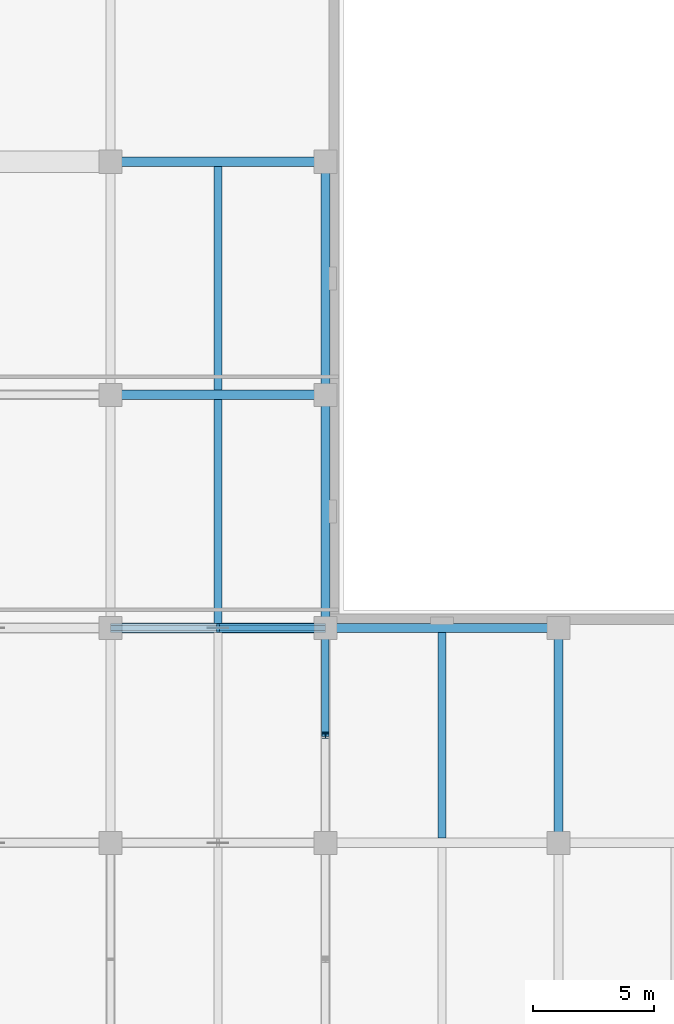
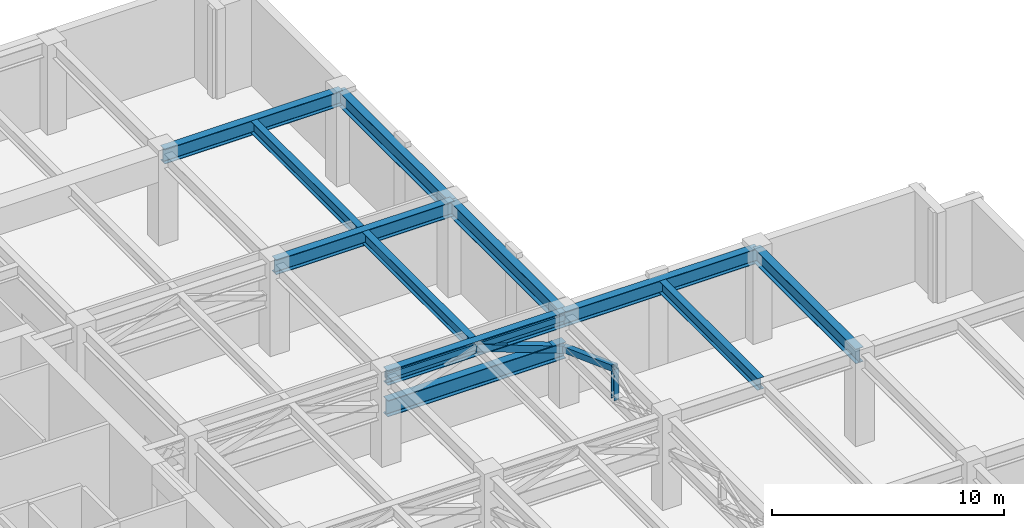
# One storey, part 7 of 21: 11 beams, 4 members.
"""IFC4 building model written with IfcOpenShell, lengths in metres."""

from ifc_helpers import new_model, si_unit, direction, frame, origin, origin_2d, place, context, subcontext, project, spatial, hollow_rectangle, i_section, extrude, material, material_profile, profile_set, type_object, element, save


model = new_model("IFC4")

# Units and contexts
model_context = context("Model", 3, precision=1e-05, world=origin(), true_north=direction((0.0, 1.0)))
body_context = subcontext(model_context, "Body", "Model", "MODEL_VIEW")
ifc_project = project(units=[si_unit("LENGTHUNIT", "METRE"), si_unit("AREAUNIT", "SQUARE_METRE"), si_unit("VOLUMEUNIT", "CUBIC_METRE"), si_unit("PLANEANGLEUNIT", "RADIAN"), si_unit("MASSUNIT", "GRAM", prefix="KILO")], contexts=[model_context])

# Site, building, storey
site_placement = place(None, origin())
site = spatial("IfcSite", under=ifc_project, at=site_placement, CompositionType="ELEMENT")
building_placement = place(site_placement, origin())
building = spatial("IfcBuilding", under=site, at=building_placement, Name="Norrvale University Quadrangle", CompositionType="ELEMENT")
storey_placement = place(building_placement, frame((0.0, 0.0, 194.0)))
storey = spatial("IfcBuildingStorey", under=building, at=storey_placement, Name="L49", CompositionType="ELEMENT", Elevation=194.0)

# Beams
ifc_material = material(Name="Steel 350W", Category="steel")
ifc_material_profile_1 = material_profile(ifc_material, i_section(OverallWidth=0.324951171875, OverallDepth=0.615966796875, WebThickness=0.013916015625, FlangeThickness=0.021484375, FilletRadius=0.01611328125, at=origin_2d()), Name="Steel 350W")
ifc_profile_set_1 = profile_set([ifc_material_profile_1], Name="Steel 350W")
beam_type_1 = type_object("IfcBeamType", Name="Beam Belt W610x174", PredefinedType="BEAM", material=ifc_profile_set_1)
for number, where, z_axis, x_axis, name in (
    (1, (33.22509765625, 37.840576171875, 4.431884765625), (0.0, 1.0, 0.0), (-1.0, 0.0, 0.0), "Beam Belt W610x174 BM-L49-J079"),
    (2, (33.22509765625, 47.4404296875, 4.431884765625), (0.0, 1.0, 0.0), (-1.0, 0.0, 0.0), "Beam Belt W610x174 BM-L49-J080"),
):
    element("IfcBeam", number, at=place(storey_placement, frame(where, z_axis=z_axis, x_axis=x_axis)), inside=storey, type_object=beam_type_1, Name=name, PredefinedType="BEAM", context=body_context, shape_type="SweptSolid", body=[
        extrude(i_section(OverallWidth=0.324951171875, OverallDepth=0.615966796875, WebThickness=0.013916015625, FlangeThickness=0.021484375, FilletRadius=0.01611328125, at=origin_2d()), origin(), (0.0, 0.0, 1.0), 9.218994140625),
    ])
beam_1_placement = place(storey_placement, frame((42.449951171875, 28.990478515625, 4.431884765625), z_axis=(0.0, 1.0, 0.0), x_axis=(-1.0, 0.0, 0.0)))
element("IfcBeam", 3, at=beam_1_placement, inside=storey, type_object=beam_type_1, Name="Beam Belt W610x174 BM-L49-J084", PredefinedType="BEAM", context=body_context, shape_type="SweptSolid", body=[
    extrude(i_section(OverallWidth=0.324951171875, OverallDepth=0.615966796875, WebThickness=0.013916015625, FlangeThickness=0.021484375, FilletRadius=0.01611328125, at=origin_2d()), origin(), (0.0, 0.0, 1.0), 8.468994140625),
])
ifc_material_profile_2 = material_profile(ifc_material, i_section(OverallWidth=0.381103515625, OverallDepth=0.77294921875, WebThickness=0.0166015625, FlangeThickness=0.027587890625, FilletRadius=0.02001953125, at=origin_2d()), Name="Steel 350W")
ifc_profile_set_2 = profile_set([ifc_material_profile_2], Name="Steel 350W")
beam_type_2 = type_object("IfcBeamType", Name="Beam Outrig W760x257", PredefinedType="BEAM", material=ifc_profile_set_2)
beam_2_placement = place(storey_placement, frame((28.800048828125, 37.64990234375, 4.353515625), z_axis=(1.0, 0.0, 0.0), x_axis=(0.0, 1.0, 0.0)))
element("IfcBeam", 4, at=beam_2_placement, inside=storey, type_object=beam_type_2, Name="Beam Outrig W760x257 BM-L49-GX018", PredefinedType="BEAM", context=body_context, shape_type="SweptSolid", body=[
    extrude(i_section(OverallWidth=0.381103515625, OverallDepth=0.77294921875, WebThickness=0.0166015625, FlangeThickness=0.027587890625, FilletRadius=0.02001953125, at=origin_2d()), origin(), (0.0, 0.0, 1.0), 8.849853515625),
])
beam_3_placement = place(storey_placement, frame((37.64990234375, 37.64990234375, 4.353515625), z_axis=(1.0, 0.0, 0.0), x_axis=(0.0, 1.0, 0.0)))
element("IfcBeam", 5, at=beam_3_placement, inside=storey, type_object=beam_type_2, Name="Beam Outrig W760x257 BM-L49-GX019", PredefinedType="BEAM", context=body_context, shape_type="SweptSolid", body=[
    extrude(i_section(OverallWidth=0.381103515625, OverallDepth=0.77294921875, WebThickness=0.0166015625, FlangeThickness=0.027587890625, FilletRadius=0.02001953125, at=origin_2d()), origin(), (0.0, 0.0, 1.0), 9.60009765625),
])
for number, where, z_axis, x_axis, name in (
    (6, (28.800048828125, 47.25, 4.353515625), (1.0, 0.0, 0.0), (0.0, 1.0, 0.0), "Beam Outrig W760x257 BM-L49-GX021"),
    (7, (28.800048828125, 56.85009765625, 4.353515625), (1.0, 0.0, 0.0), (0.0, 1.0, 0.0), "Beam Outrig W760x257 BM-L49-GX023"),
):
    element("IfcBeam", number, at=place(storey_placement, frame(where, z_axis=z_axis, x_axis=x_axis)), inside=storey, type_object=beam_type_2, Name=name, PredefinedType="BEAM", context=body_context, shape_type="SweptSolid", body=[
        extrude(i_section(OverallWidth=0.381103515625, OverallDepth=0.77294921875, WebThickness=0.0166015625, FlangeThickness=0.027587890625, FilletRadius=0.02001953125, at=origin_2d()), origin(), (0.0, 0.0, 1.0), 8.849853515625),
    ])
for number, where, z_axis, x_axis, name in (
    (8, (37.64990234375, 37.64990234375, 4.353515625), (0.0, 1.0, 0.0), (-1.0, 0.0, 0.0), "Beam Outrig W760x257 BM-L49-GY050"),
    (9, (37.64990234375, 47.25, 4.353515625), (0.0, 1.0, 0.0), (-1.0, 0.0, 0.0), "Beam Outrig W760x257 BM-L49-GY051"),
):
    element("IfcBeam", number, at=place(storey_placement, frame(where, z_axis=z_axis, x_axis=x_axis)), inside=storey, type_object=beam_type_2, Name=name, PredefinedType="BEAM", context=body_context, shape_type="SweptSolid", body=[
        extrude(i_section(OverallWidth=0.381103515625, OverallDepth=0.77294921875, WebThickness=0.0166015625, FlangeThickness=0.027587890625, FilletRadius=0.02001953125, at=origin_2d()), origin(), (0.0, 0.0, 1.0), 9.60009765625),
    ])
beam_4_placement = place(storey_placement, frame((47.25, 28.800048828125, 4.353515625), z_axis=(0.0, 1.0, 0.0), x_axis=(-1.0, 0.0, 0.0)))
element("IfcBeam", 10, at=beam_4_placement, inside=storey, type_object=beam_type_2, Name="Beam Outrig W760x257 BM-L49-GY055", PredefinedType="BEAM", context=body_context, shape_type="SweptSolid", body=[
    extrude(i_section(OverallWidth=0.381103515625, OverallDepth=0.77294921875, WebThickness=0.0166015625, FlangeThickness=0.027587890625, FilletRadius=0.02001953125, at=origin_2d()), origin(), (0.0, 0.0, 1.0), 8.849853515625),
])
ifc_material_profile_3 = material_profile(ifc_material, i_section(OverallWidth=0.39990234375, OverallDepth=0.85498046875, WebThickness=0.018310546875, FlangeThickness=0.029296875, FilletRadius=0.02197265625, at=origin_2d()), Name="Steel 350W")
ifc_profile_set_3 = profile_set([ifc_material_profile_3], Name="Steel 350W")
beam_type_3 = type_object("IfcBeamType", Name="Beam Outrig W840x299", PredefinedType="BEAM", material=ifc_profile_set_3)
beam_5_placement = place(storey_placement, frame((28.800048828125, 37.64990234375, 2.75), z_axis=(1.0, 0.0, 0.0), x_axis=(0.0, 1.0, 0.0)))
element("IfcBeam", 11, at=beam_5_placement, inside=storey, type_object=beam_type_3, Name="Outrigger Bottom Chord L49-4.3", PredefinedType="BEAM", context=body_context, shape_type="SweptSolid", body=[
    extrude(i_section(OverallWidth=0.39990234375, OverallDepth=0.85498046875, WebThickness=0.018310546875, FlangeThickness=0.029296875, FilletRadius=0.02197265625, at=origin_2d()), origin(), (0.0, 0.0, 1.0), 8.849853515625),
])

# Members
ifc_material_profile_4 = material_profile(ifc_material, hollow_rectangle(XDim=0.304931640625, YDim=0.304931640625, WallThickness=0.012939453125, at=origin_2d()), Name="Steel 350W")
ifc_profile_set_4 = profile_set([ifc_material_profile_4], Name="Steel 350W")
member_type_1 = type_object("IfcMemberType", Name="Member Belt Diag HSS305", PredefinedType="BRACE", material=ifc_profile_set_4)
member_1_placement = place(storey_placement, frame((37.64990234375, 37.64990234375, 2.75), z_axis=(0.0, -0.937674473211, 0.347514866285), x_axis=(1.0, 0.0, 0.0)))
element("IfcMember", 12, at=member_1_placement, inside=storey, type_object=member_type_1, Name="Belt Truss Brace L49-03B", PredefinedType="BRACE", context=body_context, shape_type="SweptSolid", body=[
    extrude(hollow_rectangle(XDim=0.304931640625, YDim=0.304931640625, WallThickness=0.012939453125, at=origin_2d()), origin(), (0.0, 0.0, 1.0), 4.718994140625),
])
ifc_material_profile_5 = material_profile(ifc_material, hollow_rectangle(XDim=0.202880859375, YDim=0.304931640625, WallThickness=0.012939453125, at=origin_2d()), Name="Steel 350W")
ifc_profile_set_5 = profile_set([ifc_material_profile_5], Name="Steel 350W")
member_type_2 = type_object("IfcMemberType", Name="Member Chord HSS305x203", PredefinedType="CHORD", material=ifc_profile_set_5)
member_2_placement = place(storey_placement, frame((28.800048828125, 37.64990234375, 4.389892578125), z_axis=(1.0, 0.0, 0.0), x_axis=(0.0, 1.0, 0.0)))
element("IfcMember", 13, at=member_2_placement, inside=storey, type_object=member_type_2, Name="Outrigger Top Chord L49-4.3", PredefinedType="CHORD", context=body_context, shape_type="SweptSolid", body=[
    extrude(hollow_rectangle(XDim=0.202880859375, YDim=0.304931640625, WallThickness=0.012939453125, at=origin_2d()), origin(), (0.0, 0.0, 1.0), 8.849853515625),
])
ifc_material_profile_6 = material_profile(ifc_material, hollow_rectangle(XDim=0.35595703125, YDim=0.35595703125, WallThickness=0.01611328125, at=origin_2d()), Name="Steel 350W")
ifc_profile_set_6 = profile_set([ifc_material_profile_6], Name="Steel 350W")
member_type_3 = type_object("IfcMemberType", Name="Member Outrig Diag HSS356", PredefinedType="BRACE", material=ifc_profile_set_6)
member_3_placement = place(storey_placement, frame((37.64990234375, 37.64990234375, 2.75), z_axis=(-0.937674473211, 0.0, 0.347514866285), x_axis=(0.0, -1.0, 0.0)))
element("IfcMember", 14, at=member_3_placement, inside=storey, type_object=member_type_3, Name="Outrigger Truss Diagonal L49-4.3B", PredefinedType="BRACE", context=body_context, shape_type="SweptSolid", body=[
    extrude(hollow_rectangle(XDim=0.35595703125, YDim=0.35595703125, WallThickness=0.01611328125, at=origin_2d()), origin(), (0.0, 0.0, 1.0), 4.718994140625),
])
ifc_material_profile_7 = material_profile(ifc_material, i_section(OverallWidth=0.25390625, OverallDepth=0.2529296875, WebThickness=0.008544921875, FlangeThickness=0.01416015625, FilletRadius=0.011962890625, at=origin_2d()), Name="Steel 350W")
ifc_profile_set_7 = profile_set([ifc_material_profile_7], Name="Steel 350W")
member_type_4 = type_object("IfcMemberType", Name="Member Post W250x73", PredefinedType="POST", material=ifc_profile_set_7)
member_4_placement = place(storey_placement, frame((37.64990234375, 33.22509765625, 2.75), z_axis=(0.0, 0.0, 1.0), x_axis=(1.0, 0.0, 0.0)))
element("IfcMember", 15, at=member_4_placement, inside=storey, type_object=member_type_4, Name="Belt Truss Post L49-03", PredefinedType="POST", context=body_context, shape_type="SweptSolid", body=[
    extrude(i_section(OverallWidth=0.25390625, OverallDepth=0.2529296875, WebThickness=0.008544921875, FlangeThickness=0.01416015625, FilletRadius=0.011962890625, at=origin_2d()), origin(), (0.0, 0.0, 1.0), 1.639892578125),
])

save(model, "model.ifc")
